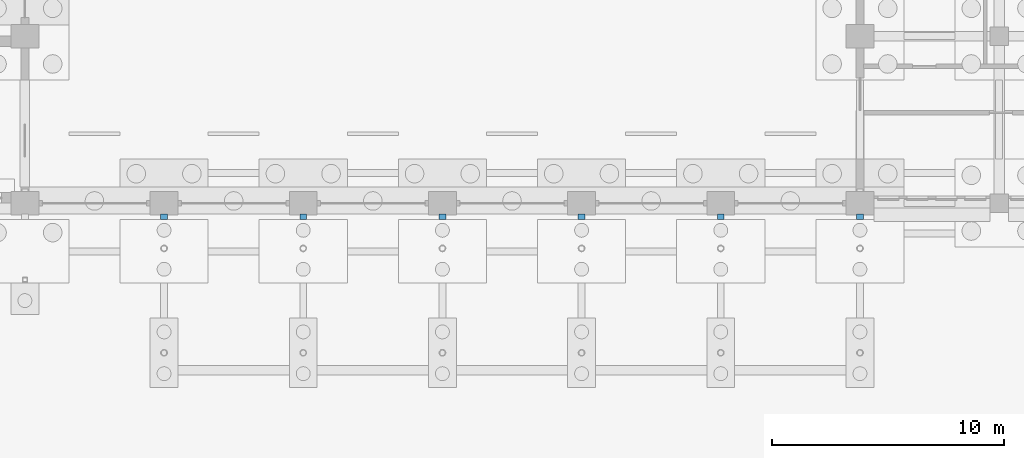
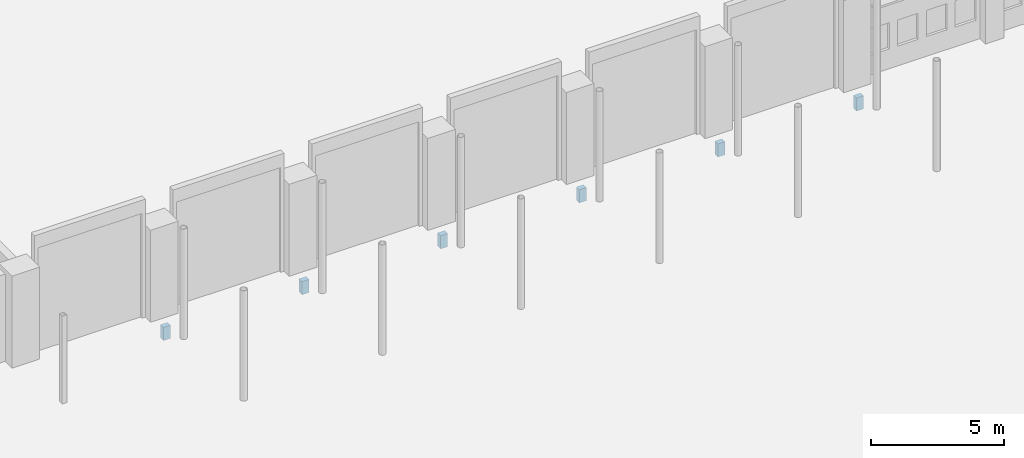
# One storey, part 16 of 37: 6 beams.
"""IFC4 building model written with IfcOpenShell, lengths in metres."""

from ifc_helpers import new_model, si_unit, direction, frame, origin, origin_2d, place, context, subcontext, project, spatial, rectangle, extrude, material, material_profile, profile_set, type_object, element, save


model = new_model("IFC4")

# Units and contexts
model_context = context("Model", 3, precision=1e-05, world=origin(), true_north=direction((0.0, 1.0)))
body_context = subcontext(model_context, "Body", "Model", "MODEL_VIEW")
ifc_project = project(units=[si_unit("LENGTHUNIT", "METRE"), si_unit("AREAUNIT", "SQUARE_METRE"), si_unit("VOLUMEUNIT", "CUBIC_METRE"), si_unit("PLANEANGLEUNIT", "RADIAN"), si_unit("MASSUNIT", "GRAM", prefix="KILO")], contexts=[model_context])

# Site, building, storey
site_placement = place(None, origin())
site = spatial("IfcSite", under=ifc_project, at=site_placement, CompositionType="ELEMENT")
building_placement = place(site_placement, origin())
building = spatial("IfcBuilding", under=site, at=building_placement, Name="Laocheng Heights Fire and Rescue Headquarters", CompositionType="ELEMENT")
storey_placement = place(building_placement, origin())
storey = spatial("IfcBuildingStorey", under=building, at=storey_placement, Name="L00", CompositionType="ELEMENT", Elevation=0.0)

# Beams
ifc_material = material(Name="Concrete C40", Category="concrete")
ifc_material_profile = material_profile(ifc_material, rectangle(XDim=0.300048828125, YDim=0.60009765625, at=origin_2d()), Name="RC GROUND BEAM 300x600")
ifc_profile_set = profile_set([ifc_material_profile], Name="Concrete C40")
beam_type = type_object("IfcBeamType", Name="RC GROUND BEAM 300x600", PredefinedType="BEAM", material=ifc_profile_set)
for number, where, z_axis, x_axis, name in (
    (1, (24.0, -0.699951171875, -0.589111328125), (0.0, 1.0, 0.0), (-1.0, 0.0, 0.0), "Ground beam GB241"),
    (2, (30.0, -0.699951171875, -0.589111328125), (0.0, 1.0, 0.0), (-1.0, 0.0, 0.0), "Ground beam GB242"),
    (3, (36.0, -0.699951171875, -0.589111328125), (0.0, 1.0, 0.0), (-1.0, 0.0, 0.0), "Ground beam GB243"),
    (4, (42.0, -0.699951171875, -0.589111328125), (0.0, 1.0, 0.0), (-1.0, 0.0, 0.0), "Ground beam GB244"),
    (5, (48.0, -0.699951171875, -0.589111328125), (0.0, 1.0, 0.0), (-1.0, 0.0, 0.0), "Ground beam GB245"),
    (6, (54.0, -0.699951171875, -0.589111328125), (0.0, 1.0, 0.0), (-1.0, 0.0, 0.0), "Ground beam GB246"),
):
    element("IfcBeam", number, at=place(storey_placement, frame(where, z_axis=z_axis, x_axis=x_axis)), inside=storey, type_object=beam_type, Name=name, PredefinedType="BEAM", context=body_context, shape_type="SweptSolid", body=[
        extrude(rectangle(XDim=0.300048828125, YDim=0.60009765625, at=origin_2d()), origin(), (0.0, 0.0, 1.0), 0.224853515625),
    ])

save(model, "model.ifc")
